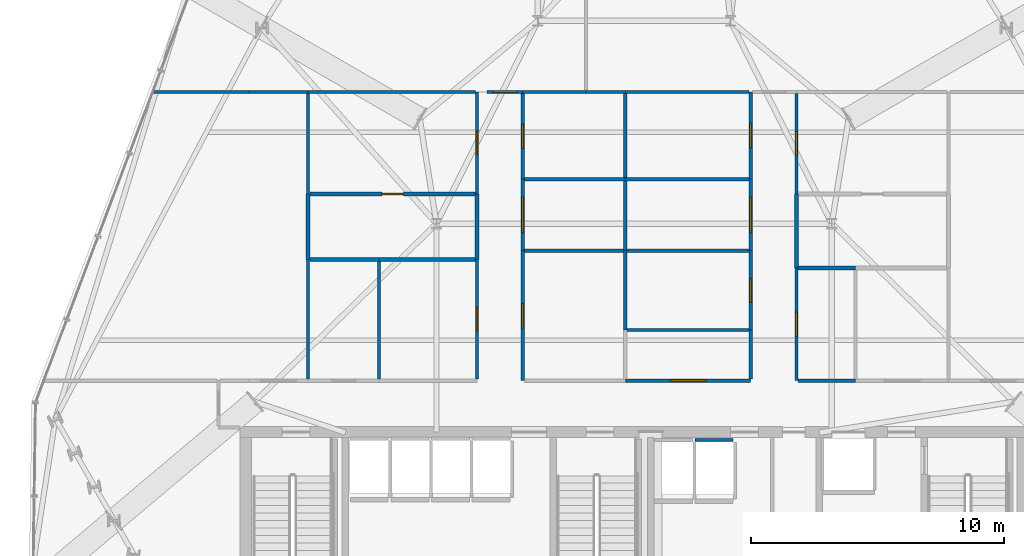
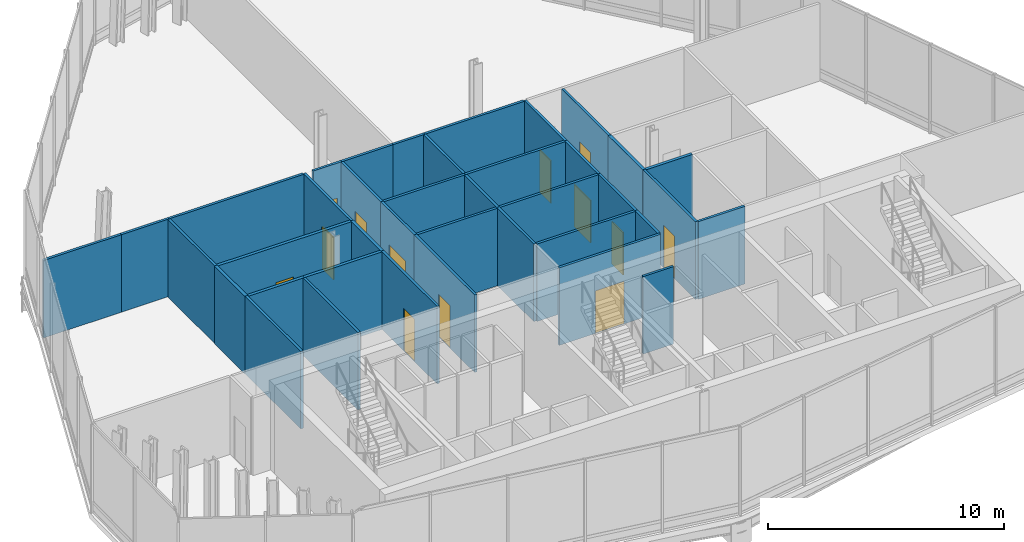
# One storey, part 22 of 26: 39 walls, 13 doors, 13 openings.
"""IFC4 building model written with IfcOpenShell, lengths in metres."""

from ifc_helpers import new_model, si_unit, direction, frame, frame_2d, origin, place, context, subcontext, project, spatial, rectangle, extrude, material, layer, layer_set, type_object, element, fill, save


model = new_model("IFC4")

# Units and contexts
model_context = context("Model", 3, precision=1e-05, world=origin(), true_north=direction((0.0, 1.0)))
body_context = subcontext(model_context, "Body", "Model", "MODEL_VIEW")
ifc_project = project(units=[si_unit("LENGTHUNIT", "METRE"), si_unit("AREAUNIT", "SQUARE_METRE"), si_unit("VOLUMEUNIT", "CUBIC_METRE"), si_unit("PLANEANGLEUNIT", "RADIAN"), si_unit("MASSUNIT", "GRAM", prefix="KILO")], contexts=[model_context])

# Site, building, storey
site_placement = place(None, origin())
site = spatial("IfcSite", under=ifc_project, at=site_placement, CompositionType="ELEMENT")
building_placement = place(site_placement, origin())
building = spatial("IfcBuilding", under=site, at=building_placement, Name="Ndaravel Arena Tower", CompositionType="ELEMENT")
storey_placement = place(building_placement, frame((0.0, 0.0, 122.199951171875)))
storey = spatial("IfcBuildingStorey", under=building, at=storey_placement, Name="L28", CompositionType="ELEMENT", Elevation=122.199951171875)

# Wall, opening, door
ifc_material_1 = material(Name="Gypsum", Category="gypsum")
ifc_layer_1 = layer(ifc_material_1, 0.125)
ifc_layer_set_1 = layer_set([ifc_layer_1], Name="Gypsum")
wall_type_1 = type_object("IfcWallType", Name="WALL-PART-125", PredefinedType="PARTITIONING", material=ifc_layer_set_1)
wall_1_placement = place(storey_placement, frame((35.800048828125, 17.06494140625, 0.0), z_axis=(0.0, 0.0, 1.0), x_axis=(0.0, 1.0, 0.0)))
wall_1 = element("IfcWall", 1, at=wall_1_placement, inside=storey, type_object=wall_type_1, Name="L28 Interior Partition 009", PredefinedType="PARTITIONING", context=body_context, shape_type="SweptSolid", body=[
    extrude(rectangle(XDim=4.72314453125, YDim=0.125, at=frame_2d((2.361572265625, 0.0))), origin(), (0.0, 0.0, 1.0), 4.010498046875),
])
opening_1_placement = place(wall_1_placement, frame((1.886474609375, 0.0, 0.0)))
opening_1 = element("IfcOpeningElement", 2, at=opening_1_placement, cuts=wall_1, Name="Opening ID-01", PredefinedType="OPENING", context=body_context, shape_type="SweptSolid", body=[
    extrude(rectangle(XDim=0.949951171875, YDim=2.199951171875, at=frame_2d((0.47509765625, 1.10009765625))), frame((0.0, 0.0625, 0.0), z_axis=(0.0, -1.0, 0.0), x_axis=(1.0, 0.0, 0.0)), (0.0, 0.0, 1.0), 0.125),
])
ifc_material_2 = material(Name="Timber", Category="wood")
door_type_1 = type_object("IfcDoorType", Name="DT-03-OFFICE-950", OperationType="SINGLE_SWING_LEFT", PredefinedType="DOOR", material=ifc_material_2)
door_1_placement = place(opening_1_placement, origin())
door_1 = element("IfcDoor", 3, at=door_1_placement, inside=storey, type_object=door_type_1, Name="L28 Hospitality Sitting Room 2 Door", OperationType="SINGLE_SWING_LEFT", OverallHeight=2.199951171875, OverallWidth=0.949951171875, PredefinedType="DOOR", context=body_context, shape_type="SweptSolid", body=[
    extrude(rectangle(XDim=0.949951171875, YDim=2.199951171875, at=frame_2d((0.47509765625, 1.10009765625))), frame((0.0, 0.02490234375, 0.0), z_axis=(0.0, -1.0, 0.0), x_axis=(1.0, 0.0, 0.0)), (0.0, 0.0, 1.0), 0.050048828125),
])
fill(opening_1, door_1)

wall_2_placement = place(storey_placement, frame((35.800048828125, 24.36669921875, 0.0), z_axis=(0.0, 0.0, 1.0), x_axis=(0.0, 1.0, 0.0)))
wall_2 = element("IfcWall", 4, at=wall_2_placement, inside=storey, type_object=wall_type_1, Name="L28 Interior Partition 011", PredefinedType="PARTITIONING", context=body_context, shape_type="SweptSolid", body=[
    extrude(rectangle(XDim=4.033203125, YDim=0.125, at=frame_2d((2.0166015625, 0.0))), origin(), (0.0, 0.0, 1.0), 4.010498046875),
])
opening_2_placement = place(wall_2_placement, frame((1.54150390625, 0.0, 0.0)))
opening_2 = element("IfcOpeningElement", 5, at=opening_2_placement, cuts=wall_2, Name="Opening ID-01", PredefinedType="OPENING", context=body_context, shape_type="SweptSolid", body=[
    extrude(rectangle(XDim=0.949951171875, YDim=2.199951171875, at=frame_2d((0.47509765625, 1.10009765625))), frame((0.0, 0.0625, 0.0), z_axis=(0.0, -1.0, 0.0), x_axis=(1.0, 0.0, 0.0)), (0.0, 0.0, 1.0), 0.125),
])
door_2_placement = place(opening_2_placement, origin())
door_2 = element("IfcDoor", 6, at=door_2_placement, inside=storey, type_object=door_type_1, Name="L28 Hospitality Sitting Room 6 Door", OperationType="SINGLE_SWING_RIGHT", OverallHeight=2.199951171875, OverallWidth=0.949951171875, PredefinedType="DOOR", context=body_context, shape_type="SweptSolid", body=[
    extrude(rectangle(XDim=0.949951171875, YDim=2.199951171875, at=frame_2d((0.47509765625, 1.10009765625))), frame((0.0, 0.02490234375, 0.0), z_axis=(0.0, -1.0, 0.0), x_axis=(1.0, 0.0, 0.0)), (0.0, 0.0, 1.0), 0.050048828125),
])
fill(opening_2, door_2)

wall_3_placement = place(storey_placement, frame((36.199951171875, 28.39990234375, 0.0), z_axis=(0.0, 0.0, 1.0), x_axis=(1.0, 0.0, 0.0)))
wall_3 = element("IfcWall", 7, at=wall_3_placement, inside=storey, type_object=wall_type_1, Name="L28 Interior Partition 012", PredefinedType="PARTITIONING", context=body_context, shape_type="SweptSolid", body=[
    extrude(rectangle(XDim=1.400146484375, YDim=0.125, at=frame_2d((0.7001953125, 0.0))), origin(), (0.0, 0.0, 1.0), 4.010498046875),
])
opening_3_placement = place(wall_3_placement, frame((0.22509765625, 0.0, 0.0)))
opening_3 = element("IfcOpeningElement", 8, at=opening_3_placement, cuts=wall_3, Name="Opening ID-01", PredefinedType="OPENING", context=body_context, shape_type="SweptSolid", body=[
    extrude(rectangle(XDim=0.949951171875, YDim=2.199951171875, at=frame_2d((0.47509765625, 1.10009765625))), frame((0.0, 0.0625, 0.0), z_axis=(0.0, -1.0, 0.0), x_axis=(1.0, 0.0, 0.0)), (0.0, 0.0, 1.0), 0.125),
])
door_3_placement = place(opening_3_placement, origin())
door_3 = element("IfcDoor", 9, at=door_3_placement, inside=storey, type_object=door_type_1, Name="L28 Executive Dining Lounge 8 Door", OperationType="SINGLE_SWING_RIGHT", OverallHeight=2.199951171875, OverallWidth=0.949951171875, PredefinedType="DOOR", context=body_context, shape_type="SweptSolid", body=[
    extrude(rectangle(XDim=0.949951171875, YDim=2.199951171875, at=frame_2d((0.47509765625, 1.10009765625))), frame((0.0, 0.02490234375, 0.0), z_axis=(0.0, -1.0, 0.0), x_axis=(1.0, 0.0, 0.0)), (0.0, 0.0, 1.0), 0.050048828125),
])
fill(opening_3, door_3)

wall_4_placement = place(storey_placement, frame((37.60009765625, 28.3349609375, 0.0), z_axis=(0.0, 0.0, 1.0), x_axis=(0.0, -1.0, 0.0)))
wall_4 = element("IfcWall", 10, at=wall_4_placement, inside=storey, type_object=wall_type_1, Name="L28 Interior Partition 013", PredefinedType="PARTITIONING", context=body_context, shape_type="SweptSolid", body=[
    extrude(rectangle(XDim=3.383544921875, YDim=0.125, at=frame_2d((1.69189453125, 0.0))), origin(), (0.0, 0.0, 1.0), 4.010498046875),
])
opening_4_placement = place(wall_4_placement, frame((1.216796875, 0.0, 0.0)))
opening_4 = element("IfcOpeningElement", 11, at=opening_4_placement, cuts=wall_4, Name="Opening ID-01", PredefinedType="OPENING", context=body_context, shape_type="SweptSolid", body=[
    extrude(rectangle(XDim=0.949951171875, YDim=2.199951171875, at=frame_2d((0.47509765625, 1.10009765625))), frame((0.0, 0.0625, 0.0), z_axis=(0.0, -1.0, 0.0), x_axis=(1.0, 0.0, 0.0)), (0.0, 0.0, 1.0), 0.125),
])
door_4_placement = place(opening_4_placement, origin())
door_4 = element("IfcDoor", 12, at=door_4_placement, inside=storey, type_object=door_type_1, Name="L28 Quiet Study Room 7 Door", OperationType="SINGLE_SWING_RIGHT", OverallHeight=2.199951171875, OverallWidth=0.949951171875, PredefinedType="DOOR", context=body_context, shape_type="SweptSolid", body=[
    extrude(rectangle(XDim=0.949951171875, YDim=2.199951171875, at=frame_2d((0.47509765625, 1.10009765625))), frame((0.0, 0.02490234375, 0.0), z_axis=(0.0, -1.0, 0.0), x_axis=(1.0, 0.0, 0.0)), (0.0, 0.0, 1.0), 0.050048828125),
])
fill(opening_4, door_4)

wall_5_placement = place(storey_placement, frame((37.60009765625, 24.951416015625, 0.0), z_axis=(0.0, 0.0, 1.0), x_axis=(0.0, -1.0, 0.0)))
wall_5 = element("IfcWall", 13, at=wall_5_placement, inside=storey, type_object=wall_type_1, Name="L28 Interior Partition 014", PredefinedType="PARTITIONING", context=body_context, shape_type="SweptSolid", body=[
    extrude(rectangle(XDim=2.821533203125, YDim=0.125, at=frame_2d((1.41064453125, 0.0))), origin(), (0.0, 0.0, 1.0), 4.010498046875),
])
opening_5_placement = place(wall_5_placement, frame((0.710693359375, 0.0, 0.0)))
opening_5 = element("IfcOpeningElement", 14, at=opening_5_placement, cuts=wall_5, Name="Opening ID-02", PredefinedType="OPENING", context=body_context, shape_type="SweptSolid", body=[
    extrude(rectangle(XDim=1.39990234375, YDim=2.199951171875, at=frame_2d((0.699951171875, 1.10009765625))), frame((0.0, 0.0625, 0.0), z_axis=(0.0, -1.0, 0.0), x_axis=(1.0, 0.0, 0.0)), (0.0, 0.0, 1.0), 0.125),
])
ifc_material_3 = material(Name="Timber", Category="wood")
door_type_2 = type_object("IfcDoorType", Name="DT-04-SUITE-1400", OperationType="DOUBLE_DOOR_SINGLE_SWING", PredefinedType="DOOR", material=ifc_material_3)
door_5_placement = place(opening_5_placement, origin())
door_5 = element("IfcDoor", 15, at=door_5_placement, inside=storey, type_object=door_type_2, Name="L28 Collaborative Lounge 5 Door", OperationType="SINGLE_SWING_RIGHT", OverallHeight=2.199951171875, OverallWidth=1.39990234375, PredefinedType="DOOR", context=body_context, shape_type="SweptSolid", body=[
    extrude(rectangle(XDim=1.39990234375, YDim=2.199951171875, at=frame_2d((0.699951171875, 1.10009765625))), frame((0.0, 0.02490234375, 0.0), z_axis=(0.0, -1.0, 0.0), x_axis=(1.0, 0.0, 0.0)), (0.0, 0.0, 1.0), 0.050048828125),
])
fill(opening_5, door_5)

wall_6_placement = place(storey_placement, frame((37.60009765625, 22.1298828125, 0.0), z_axis=(0.0, 0.0, 1.0), x_axis=(0.0, -1.0, 0.0)))
wall_6 = element("IfcWall", 16, at=wall_6_placement, inside=storey, type_object=wall_type_1, Name="L28 Interior Partition 015", PredefinedType="PARTITIONING", context=body_context, shape_type="SweptSolid", body=[
    extrude(rectangle(XDim=5.1298828125, YDim=0.125, at=frame_2d((2.56494140625, 0.0))), origin(), (0.0, 0.0, 1.0), 4.010498046875),
])
opening_6_placement = place(wall_6_placement, frame((2.090087890625, 0.0, 0.0)))
opening_6 = element("IfcOpeningElement", 17, at=opening_6_placement, cuts=wall_6, Name="Opening ID-01", PredefinedType="OPENING", context=body_context, shape_type="SweptSolid", body=[
    extrude(rectangle(XDim=0.949951171875, YDim=2.199951171875, at=frame_2d((0.47509765625, 1.10009765625))), frame((0.0, 0.0625, 0.0), z_axis=(0.0, -1.0, 0.0), x_axis=(1.0, 0.0, 0.0)), (0.0, 0.0, 1.0), 0.125),
])
door_6_placement = place(opening_6_placement, origin())
door_6 = element("IfcDoor", 18, at=door_6_placement, inside=storey, type_object=door_type_1, Name="L28 Quiet Study Room 3 Door", OperationType="SINGLE_SWING_RIGHT", OverallHeight=2.199951171875, OverallWidth=0.949951171875, PredefinedType="DOOR", context=body_context, shape_type="SweptSolid", body=[
    extrude(rectangle(XDim=0.949951171875, YDim=2.199951171875, at=frame_2d((0.47509765625, 1.10009765625))), frame((0.0, 0.02490234375, 0.0), z_axis=(0.0, -1.0, 0.0), x_axis=(1.0, 0.0, 0.0)), (0.0, 0.0, 1.0), 0.050048828125),
])
fill(opening_6, door_6)

wall_7_placement = place(storey_placement, frame((41.64990234375, 17.0, 0.0), z_axis=(0.0, 0.0, 1.0), x_axis=(1.0, 0.0, 0.0)))
wall_7 = element("IfcWall", 19, at=wall_7_placement, inside=storey, type_object=wall_type_1, Name="L28 Interior Partition 017", PredefinedType="PARTITIONING", context=body_context, shape_type="SweptSolid", body=[
    extrude(rectangle(XDim=4.9501953125, YDim=0.125, at=frame_2d((2.47509765625, 0.0))), origin(), (0.0, 0.0, 1.0), 4.010498046875),
])
opening_7_placement = place(wall_7_placement, frame((1.77490234375, 0.0, 0.0)))
opening_7 = element("IfcOpeningElement", 20, at=opening_7_placement, cuts=wall_7, Name="Opening ID-02", PredefinedType="OPENING", context=body_context, shape_type="SweptSolid", body=[
    extrude(rectangle(XDim=1.39990234375, YDim=2.199951171875, at=frame_2d((0.699951171875, 1.10009765625))), frame((0.0, 0.0625, 0.0), z_axis=(0.0, -1.0, 0.0), x_axis=(1.0, 0.0, 0.0)), (0.0, 0.0, 1.0), 0.125),
])
door_7_placement = place(opening_7_placement, origin())
door_7 = element("IfcDoor", 21, at=door_7_placement, inside=storey, type_object=door_type_2, Name="L28 Visitor Reception Desk Door", OperationType="SINGLE_SWING_LEFT", OverallHeight=2.199951171875, OverallWidth=1.39990234375, PredefinedType="DOOR", context=body_context, shape_type="SweptSolid", body=[
    extrude(rectangle(XDim=1.39990234375, YDim=2.199951171875, at=frame_2d((0.699951171875, 1.10009765625))), frame((0.0, 0.02490234375, 0.0), z_axis=(0.0, -1.0, 0.0), x_axis=(1.0, 0.0, 0.0)), (0.0, 0.0, 1.0), 0.050048828125),
])
fill(opening_7, door_7)

# Wall
wall_8_placement = place(storey_placement, frame((46.60009765625, 17.06494140625, 0.0), z_axis=(0.0, 0.0, 1.0), x_axis=(0.0, 1.0, 0.0)))
element("IfcWall", 22, at=wall_8_placement, inside=storey, type_object=wall_type_1, Name="L28 Interior Partition 018", PredefinedType="PARTITIONING", context=body_context, shape_type="SweptSolid", body=[
    extrude(rectangle(XDim=1.935791015625, YDim=0.125, at=frame_2d((0.9677734375, 0.0))), origin(), (0.0, 0.0, 1.0), 4.010498046875),
])

# Wall, opening, door
wall_9_placement = place(storey_placement, frame((46.60009765625, 19.000732421875, 0.0), z_axis=(0.0, 0.0, 1.0), x_axis=(0.0, 1.0, 0.0)))
wall_9 = element("IfcWall", 23, at=wall_9_placement, inside=storey, type_object=wall_type_1, Name="L28 Interior Partition 019", PredefinedType="PARTITIONING", context=body_context, shape_type="SweptSolid", body=[
    extrude(rectangle(XDim=3.129150390625, YDim=0.125, at=frame_2d((1.564453125, 0.0))), origin(), (0.0, 0.0, 1.0), 4.010498046875),
])
opening_8_placement = place(wall_9_placement, frame((1.089599609375, 0.0, 0.0)))
opening_8 = element("IfcOpeningElement", 24, at=opening_8_placement, cuts=wall_9, Name="Opening ID-01", PredefinedType="OPENING", context=body_context, shape_type="SweptSolid", body=[
    extrude(rectangle(XDim=0.949951171875, YDim=2.199951171875, at=frame_2d((0.47509765625, 1.10009765625))), frame((0.0, 0.0625, 0.0), z_axis=(0.0, -1.0, 0.0), x_axis=(1.0, 0.0, 0.0)), (0.0, 0.0, 1.0), 0.125),
])
door_8_placement = place(opening_8_placement, origin())
door_8 = element("IfcDoor", 25, at=door_8_placement, inside=storey, type_object=door_type_1, Name="L28 Training Classroom 4 Door", OperationType="SINGLE_SWING_LEFT", OverallHeight=2.199951171875, OverallWidth=0.949951171875, PredefinedType="DOOR", context=body_context, shape_type="SweptSolid", body=[
    extrude(rectangle(XDim=0.949951171875, YDim=2.199951171875, at=frame_2d((0.47509765625, 1.10009765625))), frame((0.0, 0.02490234375, 0.0), z_axis=(0.0, -1.0, 0.0), x_axis=(1.0, 0.0, 0.0)), (0.0, 0.0, 1.0), 0.050048828125),
])
fill(opening_8, door_8)

wall_10_placement = place(storey_placement, frame((46.60009765625, 22.1298828125, 0.0), z_axis=(0.0, 0.0, 1.0), x_axis=(0.0, 1.0, 0.0)))
wall_10 = element("IfcWall", 26, at=wall_10_placement, inside=storey, type_object=wall_type_1, Name="L28 Interior Partition 020", PredefinedType="PARTITIONING", context=body_context, shape_type="SweptSolid", body=[
    extrude(rectangle(XDim=2.821533203125, YDim=0.125, at=frame_2d((1.41064453125, 0.0))), origin(), (0.0, 0.0, 1.0), 4.010498046875),
])
opening_9_placement = place(wall_10_placement, frame((0.710693359375, 0.0, 0.0)))
opening_9 = element("IfcOpeningElement", 27, at=opening_9_placement, cuts=wall_10, Name="Opening ID-02", PredefinedType="OPENING", context=body_context, shape_type="SweptSolid", body=[
    extrude(rectangle(XDim=1.39990234375, YDim=2.199951171875, at=frame_2d((0.699951171875, 1.10009765625))), frame((0.0, 0.0625, 0.0), z_axis=(0.0, -1.0, 0.0), x_axis=(1.0, 0.0, 0.0)), (0.0, 0.0, 1.0), 0.125),
])
door_9_placement = place(opening_9_placement, origin())
door_9 = element("IfcDoor", 28, at=door_9_placement, inside=storey, type_object=door_type_2, Name="L28 Client Conference Room 6 Door", OperationType="SINGLE_SWING_LEFT", OverallHeight=2.199951171875, OverallWidth=1.39990234375, PredefinedType="DOOR", context=body_context, shape_type="SweptSolid", body=[
    extrude(rectangle(XDim=1.39990234375, YDim=2.199951171875, at=frame_2d((0.699951171875, 1.10009765625))), frame((0.0, 0.02490234375, 0.0), z_axis=(0.0, -1.0, 0.0), x_axis=(1.0, 0.0, 0.0)), (0.0, 0.0, 1.0), 0.050048828125),
])
fill(opening_9, door_9)

wall_11_placement = place(storey_placement, frame((46.60009765625, 24.951416015625, 0.0), z_axis=(0.0, 0.0, 1.0), x_axis=(0.0, 1.0, 0.0)))
wall_11 = element("IfcWall", 29, at=wall_11_placement, inside=storey, type_object=wall_type_1, Name="L28 Interior Partition 021", PredefinedType="PARTITIONING", context=body_context, shape_type="SweptSolid", body=[
    extrude(rectangle(XDim=3.448486328125, YDim=0.125, at=frame_2d((1.72412109375, 0.0))), origin(), (0.0, 0.0, 1.0), 4.010498046875),
])
opening_10_placement = place(wall_11_placement, frame((1.249267578125, 0.0, 0.0)))
opening_10 = element("IfcOpeningElement", 30, at=opening_10_placement, cuts=wall_11, Name="Opening ID-01", PredefinedType="OPENING", context=body_context, shape_type="SweptSolid", body=[
    extrude(rectangle(XDim=0.949951171875, YDim=2.199951171875, at=frame_2d((0.47509765625, 1.10009765625))), frame((0.0, 0.0625, 0.0), z_axis=(0.0, -1.0, 0.0), x_axis=(1.0, 0.0, 0.0)), (0.0, 0.0, 1.0), 0.125),
])
door_10_placement = place(opening_10_placement, origin())
door_10 = element("IfcDoor", 31, at=door_10_placement, inside=storey, type_object=door_type_1, Name="L28 Training Classroom 8 Door", OperationType="SINGLE_SWING_LEFT", OverallHeight=2.199951171875, OverallWidth=0.949951171875, PredefinedType="DOOR", context=body_context, shape_type="SweptSolid", body=[
    extrude(rectangle(XDim=0.949951171875, YDim=2.199951171875, at=frame_2d((0.47509765625, 1.10009765625))), frame((0.0, 0.02490234375, 0.0), z_axis=(0.0, -1.0, 0.0), x_axis=(1.0, 0.0, 0.0)), (0.0, 0.0, 1.0), 0.050048828125),
])
fill(opening_10, door_10)

wall_12_placement = place(storey_placement, frame((48.39990234375, 28.3349609375, 0.0), z_axis=(0.0, 0.0, 1.0), x_axis=(0.0, -1.0, 0.0)))
wall_12 = element("IfcWall", 32, at=wall_12_placement, inside=storey, type_object=wall_type_1, Name="L28 Interior Partition 023", PredefinedType="PARTITIONING", context=body_context, shape_type="SweptSolid", body=[
    extrude(rectangle(XDim=3.96826171875, YDim=0.125, at=frame_2d((1.984130859375, 0.0))), origin(), (0.0, 0.0, 1.0), 4.010498046875),
])
opening_11_placement = place(wall_12_placement, frame((1.509033203125, 0.0, 0.0)))
opening_11 = element("IfcOpeningElement", 33, at=opening_11_placement, cuts=wall_12, Name="Opening ID-01", PredefinedType="OPENING", context=body_context, shape_type="SweptSolid", body=[
    extrude(rectangle(XDim=0.949951171875, YDim=2.199951171875, at=frame_2d((0.47509765625, 1.10009765625))), frame((0.0, 0.0625, 0.0), z_axis=(0.0, -1.0, 0.0), x_axis=(1.0, 0.0, 0.0)), (0.0, 0.0, 1.0), 0.125),
])
door_11_placement = place(opening_11_placement, origin())
door_11 = element("IfcDoor", 34, at=door_11_placement, inside=storey, type_object=door_type_1, Name="L28 Project Seminar Room 7 Door", OperationType="SINGLE_SWING_LEFT", OverallHeight=2.199951171875, OverallWidth=0.949951171875, PredefinedType="DOOR", context=body_context, shape_type="SweptSolid", body=[
    extrude(rectangle(XDim=0.949951171875, YDim=2.199951171875, at=frame_2d((0.47509765625, 1.10009765625))), frame((0.0, 0.02490234375, 0.0), z_axis=(0.0, -1.0, 0.0), x_axis=(1.0, 0.0, 0.0)), (0.0, 0.0, 1.0), 0.050048828125),
])
fill(opening_11, door_11)

wall_13_placement = place(storey_placement, frame((48.39990234375, 21.446044921875, 0.0), z_axis=(0.0, 0.0, 1.0), x_axis=(0.0, -1.0, 0.0)))
wall_13 = element("IfcWall", 35, at=wall_13_placement, inside=storey, type_object=wall_type_1, Name="L28 Interior Partition 025", PredefinedType="PARTITIONING", context=body_context, shape_type="SweptSolid", body=[
    extrude(rectangle(XDim=4.446044921875, YDim=0.125, at=frame_2d((2.22314453125, 0.0))), origin(), (0.0, 0.0, 1.0), 4.010498046875),
])
opening_12_placement = place(wall_13_placement, frame((1.748046875, 0.0, 0.0)))
opening_12 = element("IfcOpeningElement", 36, at=opening_12_placement, cuts=wall_13, Name="Opening ID-01", PredefinedType="OPENING", context=body_context, shape_type="SweptSolid", body=[
    extrude(rectangle(XDim=0.949951171875, YDim=2.199951171875, at=frame_2d((0.47509765625, 1.10009765625))), frame((0.0, 0.0625, 0.0), z_axis=(0.0, -1.0, 0.0), x_axis=(1.0, 0.0, 0.0)), (0.0, 0.0, 1.0), 0.125),
])
door_12_placement = place(opening_12_placement, origin())
door_12 = element("IfcDoor", 37, at=door_12_placement, inside=storey, type_object=door_type_1, Name="L28 Floor Security Control Room Door", OperationType="SINGLE_SWING_RIGHT", OverallHeight=2.199951171875, OverallWidth=0.949951171875, PredefinedType="DOOR", context=body_context, shape_type="SweptSolid", body=[
    extrude(rectangle(XDim=0.949951171875, YDim=2.199951171875, at=frame_2d((0.47509765625, 1.10009765625))), frame((0.0, 0.02490234375, 0.0), z_axis=(0.0, -1.0, 0.0), x_axis=(1.0, 0.0, 0.0)), (0.0, 0.0, 1.0), 0.050048828125),
])
fill(opening_12, door_12)

# Walls
wall_14_placement = place(storey_placement, frame((48.465087890625, 17.0, 0.0), z_axis=(0.0, 0.0, 1.0), x_axis=(1.0, 0.0, 0.0)))
element("IfcWall", 38, at=wall_14_placement, inside=storey, type_object=wall_type_1, Name="L28 Interior Partition 026", PredefinedType="PARTITIONING", context=body_context, shape_type="SweptSolid", body=[
    extrude(rectangle(XDim=2.27490234375, YDim=0.125, at=frame_2d((1.137451171875, 0.0))), origin(), (0.0, 0.0, 1.0), 4.010498046875),
])
wall_15_placement = place(storey_placement, frame((41.715087890625, 19.000732421875, 0.0), z_axis=(0.0, 0.0, 1.0), x_axis=(1.0, 0.0, 0.0)))
element("IfcWall", 39, at=wall_15_placement, inside=storey, type_object=wall_type_1, Name="L28 Interior Partition 032", PredefinedType="PARTITIONING", context=body_context, shape_type="SweptSolid", body=[
    extrude(rectangle(XDim=4.81982421875, YDim=0.125, at=frame_2d((2.409912109375, 0.0))), origin(), (0.0, 0.0, 1.0), 4.010498046875),
])
wall_16_placement = place(storey_placement, frame((29.133056640625, 17.06494140625, 0.0), z_axis=(0.0, 0.0, 1.0), x_axis=(0.0, 1.0, 0.0)))
element("IfcWall", 40, at=wall_16_placement, inside=storey, type_object=wall_type_1, Name="L28 Interior Partition 037", PredefinedType="PARTITIONING", context=body_context, shape_type="SweptSolid", body=[
    extrude(rectangle(XDim=4.72314453125, YDim=0.125, at=frame_2d((2.361572265625, 0.0))), origin(), (0.0, 0.0, 1.0), 4.010498046875),
])
wall_17_placement = place(storey_placement, frame((31.93310546875, 21.722900390625, 0.0), z_axis=(0.0, 0.0, 1.0), x_axis=(0.0, -1.0, 0.0)))
element("IfcWall", 41, at=wall_17_placement, inside=storey, type_object=wall_type_1, Name="L28 Interior Partition 039", PredefinedType="PARTITIONING", context=body_context, shape_type="SweptSolid", body=[
    extrude(rectangle(XDim=4.657958984375, YDim=0.125, at=frame_2d((2.3291015625, 0.0))), origin(), (0.0, 0.0, 1.0), 4.010498046875),
])
wall_18_placement = place(storey_placement, frame((41.64990234375, 22.1298828125, 0.0), z_axis=(0.0, 0.0, 1.0), x_axis=(0.0, -1.0, 0.0)))
element("IfcWall", 42, at=wall_18_placement, inside=storey, type_object=wall_type_1, Name="L28 Interior Partition 041", PredefinedType="PARTITIONING", context=body_context, shape_type="SweptSolid", body=[
    extrude(rectangle(XDim=3.129150390625, YDim=0.125, at=frame_2d((1.564453125, 0.0))), origin(), (0.0, 0.0, 1.0), 4.010498046875),
])
wall_19_placement = place(storey_placement, frame((37.6650390625, 22.1298828125, 0.0), z_axis=(0.0, 0.0, 1.0), x_axis=(1.0, 0.0, 0.0)))
element("IfcWall", 43, at=wall_19_placement, inside=storey, type_object=wall_type_1, Name="L28 Interior Partition 042", PredefinedType="PARTITIONING", context=body_context, shape_type="SweptSolid", body=[
    extrude(rectangle(XDim=3.919921875, YDim=0.125, at=frame_2d((1.9599609375, 0.0))), origin(), (0.0, 0.0, 1.0), 4.010498046875),
])
wall_20_placement = place(storey_placement, frame((41.715087890625, 22.1298828125, 0.0), z_axis=(0.0, 0.0, 1.0), x_axis=(1.0, 0.0, 0.0)))
element("IfcWall", 44, at=wall_20_placement, inside=storey, type_object=wall_type_1, Name="L28 Interior Partition 043", PredefinedType="PARTITIONING", context=body_context, shape_type="SweptSolid", body=[
    extrude(rectangle(XDim=4.81982421875, YDim=0.125, at=frame_2d((2.409912109375, 0.0))), origin(), (0.0, 0.0, 1.0), 4.010498046875),
])
wall_21_placement = place(storey_placement, frame((23.00390625, 28.39990234375, 0.0), z_axis=(0.0, 0.0, 1.0), x_axis=(1.0, 0.0, 0.0)))
element("IfcWall", 45, at=wall_21_placement, inside=storey, type_object=wall_type_1, Name="L28 Interior Partition 044", PredefinedType="PARTITIONING", context=body_context, shape_type="SweptSolid", body=[
    extrude(rectangle(XDim=3.796142578125, YDim=0.125, at=frame_2d((1.89794921875, 0.0))), origin(), (0.0, 0.0, 1.0), 4.010498046875),
])
wall_22_placement = place(storey_placement, frame((26.800048828125, 28.39990234375, 0.0), z_axis=(0.0, 0.0, 1.0), x_axis=(1.0, 0.0, 0.0)))
element("IfcWall", 46, at=wall_22_placement, inside=storey, type_object=wall_type_1, Name="L28 Interior Partition 045", PredefinedType="PARTITIONING", context=body_context, shape_type="SweptSolid", body=[
    extrude(rectangle(XDim=2.3330078125, YDim=0.125, at=frame_2d((1.16650390625, 0.0))), origin(), (0.0, 0.0, 1.0), 4.010498046875),
])
wall_23_placement = place(storey_placement, frame((29.133056640625, 28.3349609375, 0.0), z_axis=(0.0, 0.0, 1.0), x_axis=(0.0, -1.0, 0.0)))
element("IfcWall", 47, at=wall_23_placement, inside=storey, type_object=wall_type_1, Name="L28 Interior Partition 046", PredefinedType="PARTITIONING", context=body_context, shape_type="SweptSolid", body=[
    extrude(rectangle(XDim=3.96826171875, YDim=0.125, at=frame_2d((1.984130859375, 0.0))), origin(), (0.0, 0.0, 1.0), 4.010498046875),
])
wall_24_placement = place(storey_placement, frame((37.6650390625, 24.951416015625, 0.0), z_axis=(0.0, 0.0, 1.0), x_axis=(1.0, 0.0, 0.0)))
element("IfcWall", 48, at=wall_24_placement, inside=storey, type_object=wall_type_1, Name="L28 Interior Partition 053", PredefinedType="PARTITIONING", context=body_context, shape_type="SweptSolid", body=[
    extrude(rectangle(XDim=3.98486328125, YDim=0.125, at=frame_2d((1.992431640625, 0.0))), origin(), (0.0, 0.0, 1.0), 4.010498046875),
])
wall_25_placement = place(storey_placement, frame((41.64990234375, 24.886474609375, 0.0), z_axis=(0.0, 0.0, 1.0), x_axis=(0.0, -1.0, 0.0)))
element("IfcWall", 49, at=wall_25_placement, inside=storey, type_object=wall_type_1, Name="L28 Interior Partition 054", PredefinedType="PARTITIONING", context=body_context, shape_type="SweptSolid", body=[
    extrude(rectangle(XDim=2.756591796875, YDim=0.125, at=frame_2d((1.37841796875, 0.0))), origin(), (0.0, 0.0, 1.0), 4.010498046875),
])
wall_26_placement = place(storey_placement, frame((41.64990234375, 24.951416015625, 0.0), z_axis=(0.0, 0.0, 1.0), x_axis=(1.0, 0.0, 0.0)))
element("IfcWall", 50, at=wall_26_placement, inside=storey, type_object=wall_type_1, Name="L28 Interior Partition 055", PredefinedType="PARTITIONING", context=body_context, shape_type="SweptSolid", body=[
    extrude(rectangle(XDim=4.885009765625, YDim=0.125, at=frame_2d((2.4423828125, 0.0))), origin(), (0.0, 0.0, 1.0), 4.010498046875),
])
wall_27_placement = place(storey_placement, frame((29.133056640625, 28.39990234375, 0.0), z_axis=(0.0, 0.0, 1.0), x_axis=(1.0, 0.0, 0.0)))
element("IfcWall", 51, at=wall_27_placement, inside=storey, type_object=wall_type_1, Name="L28 Interior Partition 056", PredefinedType="PARTITIONING", context=body_context, shape_type="SweptSolid", body=[
    extrude(rectangle(XDim=6.60205078125, YDim=0.125, at=frame_2d((3.301025390625, 0.0))), origin(), (0.0, 0.0, 1.0), 4.010498046875),
])
wall_28_placement = place(storey_placement, frame((37.60009765625, 28.39990234375, 0.0), z_axis=(0.0, 0.0, 1.0), x_axis=(1.0, 0.0, 0.0)))
element("IfcWall", 52, at=wall_28_placement, inside=storey, type_object=wall_type_1, Name="L28 Interior Partition 058", PredefinedType="PARTITIONING", context=body_context, shape_type="SweptSolid", body=[
    extrude(rectangle(XDim=2.500244140625, YDim=0.125, at=frame_2d((1.25, 0.0))), origin(), (0.0, 0.0, 1.0), 4.010498046875),
])
wall_29_placement = place(storey_placement, frame((40.100341796875, 28.39990234375, 0.0), z_axis=(0.0, 0.0, 1.0), x_axis=(1.0, 0.0, 0.0)))
element("IfcWall", 53, at=wall_29_placement, inside=storey, type_object=wall_type_1, Name="L28 Interior Partition 059", PredefinedType="PARTITIONING", context=body_context, shape_type="SweptSolid", body=[
    extrude(rectangle(XDim=1.549560546875, YDim=0.125, at=frame_2d((0.77490234375, 0.0))), origin(), (0.0, 0.0, 1.0), 4.010498046875),
])
wall_30_placement = place(storey_placement, frame((41.64990234375, 28.3349609375, 0.0), z_axis=(0.0, 0.0, 1.0), x_axis=(0.0, -1.0, 0.0)))
element("IfcWall", 54, at=wall_30_placement, inside=storey, type_object=wall_type_1, Name="L28 Interior Partition 060", PredefinedType="PARTITIONING", context=body_context, shape_type="SweptSolid", body=[
    extrude(rectangle(XDim=3.318359375, YDim=0.125, at=frame_2d((1.6591796875, 0.0))), origin(), (0.0, 0.0, 1.0), 4.010498046875),
])
wall_31_placement = place(storey_placement, frame((41.64990234375, 28.39990234375, 0.0), z_axis=(0.0, 0.0, 1.0), x_axis=(1.0, 0.0, 0.0)))
element("IfcWall", 55, at=wall_31_placement, inside=storey, type_object=wall_type_1, Name="L28 Interior Partition 061", PredefinedType="PARTITIONING", context=body_context, shape_type="SweptSolid", body=[
    extrude(rectangle(XDim=4.885009765625, YDim=0.125, at=frame_2d((2.4423828125, 0.0))), origin(), (0.0, 0.0, 1.0), 4.010498046875),
])
ifc_material_4 = material(Name="Concrete C40/50", Category="concrete")
ifc_layer_2 = layer(ifc_material_4, 0.1201171875)
ifc_layer_set_2 = layer_set([ifc_layer_2], Name="Concrete C40/50")
wall_type_2 = type_object("IfcWallType", Name="WALL-SHAFT-120", PredefinedType="SOLIDWALL", material=ifc_layer_set_2)
wall_32_placement = place(storey_placement, frame((44.405029296875, 14.659912109375, 0.0), z_axis=(0.0, 0.0, 1.0), x_axis=(1.0, 0.0, 0.0)))
element("IfcWall", 56, at=wall_32_placement, inside=storey, type_object=wall_type_2, Name="L28 PL-OBS2 Shaft Rear Wall", PredefinedType="SOLIDWALL", context=body_context, shape_type="SweptSolid", body=[
    extrude(rectangle(XDim=1.489990234375, YDim=0.1201171875, at=frame_2d((0.7451171875, 0.0))), origin(), (0.0, 0.0, 1.0), 4.010498046875),
])
ifc_material_5 = material(Name="Masonry", Category="masonry")
ifc_layer_3 = layer(ifc_material_5, 0.14990234375)
ifc_layer_set_3 = layer_set([ifc_layer_3], Name="Masonry")
wall_type_3 = type_object("IfcWallType", Name="WALL-WET-150", PredefinedType="PARTITIONING", material=ifc_layer_set_3)
wall_33_placement = place(storey_placement, frame((35.800048828125, 21.7880859375, 0.0), z_axis=(0.0, 0.0, 1.0), x_axis=(0.0, 1.0, 0.0)))
element("IfcWall", 57, at=wall_33_placement, inside=storey, type_object=wall_type_3, Name="L28 Interior Partition 010", PredefinedType="PARTITIONING", context=body_context, shape_type="SweptSolid", body=[
    extrude(rectangle(XDim=2.57861328125, YDim=0.14990234375, at=frame_2d((1.289306640625, 0.0))), origin(), (0.0, 0.0, 1.0), 4.010498046875),
])
wall_34_placement = place(storey_placement, frame((48.39990234375, 24.36669921875, 0.0), z_axis=(0.0, 0.0, 1.0), x_axis=(0.0, -1.0, 0.0)))
element("IfcWall", 58, at=wall_34_placement, inside=storey, type_object=wall_type_3, Name="L28 Interior Partition 024", PredefinedType="PARTITIONING", context=body_context, shape_type="SweptSolid", body=[
    extrude(rectangle(XDim=2.920654296875, YDim=0.14990234375, at=frame_2d((1.46044921875, 0.0))), origin(), (0.0, 0.0, 1.0), 4.010498046875),
])
wall_35_placement = place(storey_placement, frame((48.465087890625, 21.446044921875, 0.0), z_axis=(0.0, 0.0, 1.0), x_axis=(1.0, 0.0, 0.0)))
element("IfcWall", 59, at=wall_35_placement, inside=storey, type_object=wall_type_3, Name="L28 Interior Partition 033", PredefinedType="PARTITIONING", context=body_context, shape_type="SweptSolid", body=[
    extrude(rectangle(XDim=2.27490234375, YDim=0.14990234375, at=frame_2d((1.137451171875, 0.0))), origin(), (0.0, 0.0, 1.0), 4.010498046875),
])
wall_36_placement = place(storey_placement, frame((29.197998046875, 21.7880859375, 0.0), z_axis=(0.0, 0.0, 1.0), x_axis=(1.0, 0.0, 0.0)))
element("IfcWall", 60, at=wall_36_placement, inside=storey, type_object=wall_type_3, Name="L28 Interior Partition 038", PredefinedType="PARTITIONING", context=body_context, shape_type="SweptSolid", body=[
    extrude(rectangle(XDim=2.735107421875, YDim=0.14990234375, at=frame_2d((1.36767578125, 0.0))), origin(), (0.0, 0.0, 1.0), 4.010498046875),
])
wall_37_placement = place(storey_placement, frame((31.93310546875, 21.7880859375, 0.0), z_axis=(0.0, 0.0, 1.0), x_axis=(1.0, 0.0, 0.0)))
element("IfcWall", 61, at=wall_37_placement, inside=storey, type_object=wall_type_3, Name="L28 Interior Partition 040", PredefinedType="PARTITIONING", context=body_context, shape_type="SweptSolid", body=[
    extrude(rectangle(XDim=3.802001953125, YDim=0.14990234375, at=frame_2d((1.90087890625, 0.0))), origin(), (0.0, 0.0, 1.0), 4.010498046875),
])
wall_38_placement = place(storey_placement, frame((29.133056640625, 24.36669921875, 0.0), z_axis=(0.0, 0.0, 1.0), x_axis=(0.0, -1.0, 0.0)))
element("IfcWall", 62, at=wall_38_placement, inside=storey, type_object=wall_type_3, Name="L28 Interior Partition 047", PredefinedType="PARTITIONING", context=body_context, shape_type="SweptSolid", body=[
    extrude(rectangle(XDim=2.57861328125, YDim=0.14990234375, at=frame_2d((1.289306640625, 0.0))), origin(), (0.0, 0.0, 1.0), 4.010498046875),
])

# Wall, opening, door
wall_39_placement = place(storey_placement, frame((29.197998046875, 24.36669921875, 0.0), z_axis=(0.0, 0.0, 1.0), x_axis=(1.0, 0.0, 0.0)))
wall_39 = element("IfcWall", 63, at=wall_39_placement, inside=storey, type_object=wall_type_3, Name="L28 Interior Partition 052", PredefinedType="PARTITIONING", context=body_context, shape_type="SweptSolid", body=[
    extrude(rectangle(XDim=6.537109375, YDim=0.14990234375, at=frame_2d((3.2685546875, 0.0))), origin(), (0.0, 0.0, 1.0), 4.010498046875),
])
opening_13_placement = place(wall_39_placement, frame((2.843505859375, 0.0, 0.0)))
opening_13 = element("IfcOpeningElement", 64, at=opening_13_placement, cuts=wall_39, Name="Opening ID-03", PredefinedType="OPENING", context=body_context, shape_type="SweptSolid", body=[
    extrude(rectangle(XDim=0.85009765625, YDim=2.14990234375, at=frame_2d((0.425048828125, 1.074951171875))), frame((0.0, 0.074951171875, 0.0), z_axis=(0.0, -1.0, 0.0), x_axis=(1.0, 0.0, 0.0)), (0.0, 0.0, 1.0), 0.14990234375),
])
ifc_material_6 = material(Name="Timber", Category="wood")
door_type_3 = type_object("IfcDoorType", Name="DT-12-SUB-850", OperationType="SINGLE_SWING_LEFT", PredefinedType="DOOR", material=ifc_material_6)
door_13_placement = place(opening_13_placement, origin())
door_13 = element("IfcDoor", 65, at=door_13_placement, inside=storey, type_object=door_type_3, Name="L28 Female & Accessible Restroom Door", OperationType="SINGLE_SWING_LEFT", OverallHeight=2.14990234375, OverallWidth=0.85009765625, PredefinedType="DOOR", context=body_context, shape_type="SweptSolid", body=[
    extrude(rectangle(XDim=0.85009765625, YDim=2.14990234375, at=frame_2d((0.425048828125, 1.074951171875))), frame((0.0, 0.02490234375, 0.0), z_axis=(0.0, -1.0, 0.0), x_axis=(1.0, 0.0, 0.0)), (0.0, 0.0, 1.0), 0.050048828125),
])
fill(opening_13, door_13)

save(model, "model.ifc")
